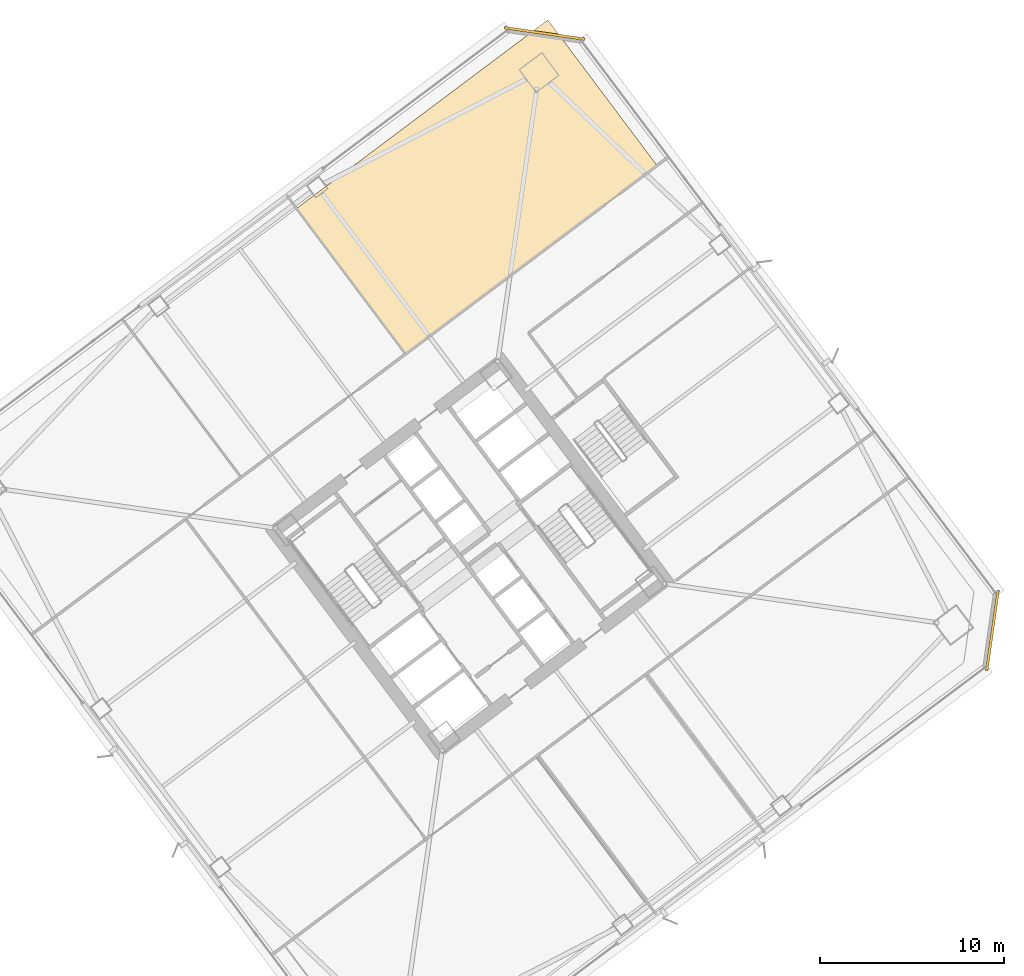
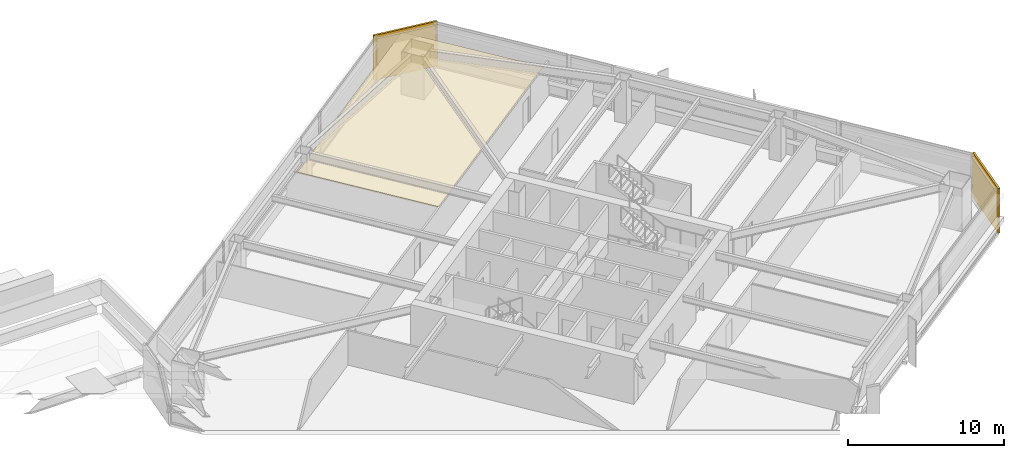
# One storey, part 62 of 62: 3 coverings.
"""IFC4 building model written with IfcOpenShell, lengths in metres."""

from ifc_helpers import new_model, si_unit, direction, frame, origin, origin_2d, place, context, subcontext, project, spatial, polyline, rectangle, outline, extrude, material, layer, layer_set, type_object, element, save


model = new_model("IFC4")

# Units and contexts
model_context = context("Model", 3, precision=1e-05, world=origin(), true_north=direction((0.0, 1.0)))
body_context = subcontext(model_context, "Body", "Model", "MODEL_VIEW")
ifc_project = project(units=[si_unit("LENGTHUNIT", "METRE"), si_unit("AREAUNIT", "SQUARE_METRE"), si_unit("VOLUMEUNIT", "CUBIC_METRE"), si_unit("PLANEANGLEUNIT", "RADIAN"), si_unit("MASSUNIT", "GRAM", prefix="KILO")], contexts=[model_context])

# Site, building, storey
site_placement = place(None, origin())
site = spatial("IfcSite", under=ifc_project, at=site_placement, CompositionType="ELEMENT")
building_placement = place(site_placement, origin())
building = spatial("IfcBuilding", under=site, at=building_placement, Name="Tashvorn Skyway Center", CompositionType="ELEMENT")
storey_placement = place(building_placement, frame((0.0, 0.0, 28.14990234375)))
storey = spatial("IfcBuildingStorey", under=building, at=storey_placement, Name="L06", CompositionType="ELEMENT", Elevation=28.14990234375)

# Coverings
ifc_material_1 = material(Name="Mineral-fibre acoustic ceiling tile on suspended grid")
ifc_layer_1 = layer(ifc_material_1, 0.02001953125)
ifc_layer_set_1 = layer_set([ifc_layer_1], Name="Mineral-fibre acoustic ceiling tile on suspended grid")
covering_type_1 = type_object("IfcCoveringType", Name="COV-CEIL-20", PredefinedType="CEILING", material=ifc_layer_set_1)
covering_placement = place(storey_placement, frame((0.0, 0.0, 2.68310546875)))
element("IfcCovering", 1, at=covering_placement, inside=storey, type_object=covering_type_1, Name="Tower 2 L06 Catering Pantry Acoustic Ceiling", PredefinedType="CEILING", context=body_context, shape_type="SweptSolid", body=[
    extrude(outline(polyline([(110.5, 43.0), (124.179931640625, 53.260009765625), (118.239990234375, 61.179931640625), (104.56005859375, 50.919921875), (110.5, 43.0)])), origin(), (0.0, 0.0, 1.0), 0.02001953125),
])
ifc_material_2 = material(Name="Precast concrete C40/50", Category="concrete")
ifc_layer_2 = layer(ifc_material_2, 0.35009765625)
ifc_layer_set_2 = layer_set([ifc_layer_2], Name="Precast concrete C40/50")
covering_type_2 = type_object("IfcCoveringType", Name="COV-STONE-TRIM", PredefinedType="CLADDING", material=ifc_layer_set_2)
for number, where, z_axis, x_axis, name in (
    (2, (118.06396484375, 60.447998046875, 0.02001953125), (0.0, 0.0, 1.0), (0.989949494535, -0.141421350118, 0.0), "Tower 2 L06 NE Mojave Limestone Corner Quoin"),
    (3, (142.447998046875, 27.93603515625, 0.02001953125), (0.0, 0.0, 1.0), (0.141421350118, 0.989949494535, 0.0), "Tower 2 L06 SE Mojave Limestone Corner Quoin"),
):
    element("IfcCovering", number, at=place(storey_placement, frame(where, z_axis=z_axis, x_axis=x_axis)), inside=storey, type_object=covering_type_2, Name=name, PredefinedType="CLADDING", context=body_context, shape_type="SweptSolid", body=[
        extrude(rectangle(XDim=4.402587890625, YDim=0.139892578125, at=origin_2d()), origin(), (0.0, 0.0, 1.0), 3.510009765625),
    ])

save(model, "model.ifc")
